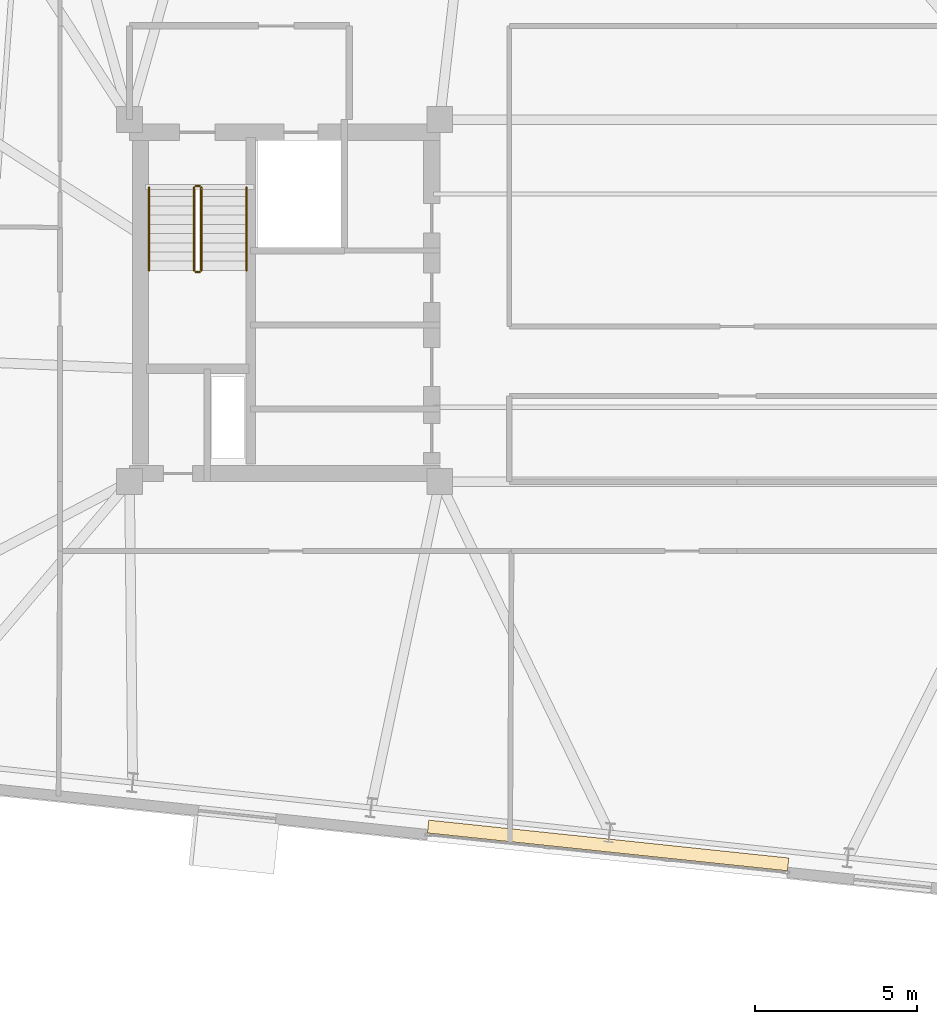
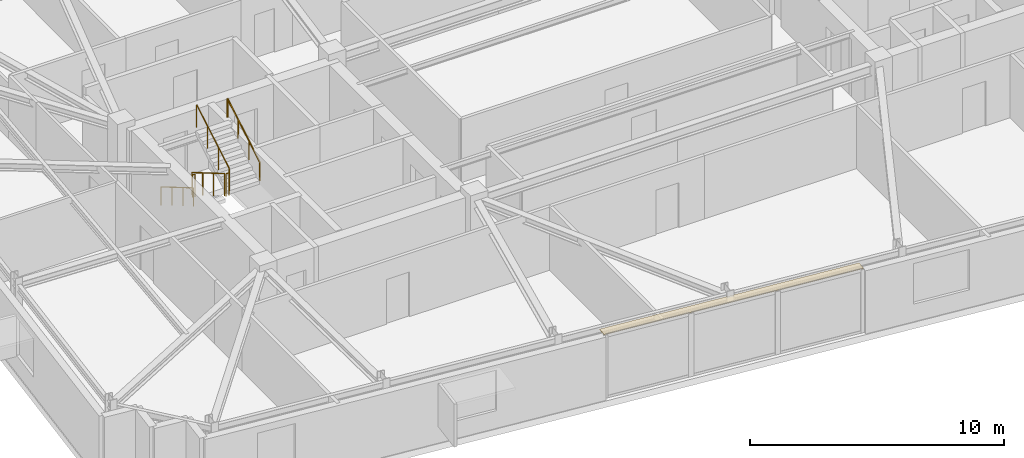
# One storey, part 11 of 12: 6 railings, 1 covering.
"""IFC4 building model written with IfcOpenShell, lengths in metres."""

from ifc_helpers import new_model, si_unit, direction, frame, origin, origin_2d, place, context, subcontext, project, spatial, polyline, circle, outline, extrude, material, layer, layer_set, type_object, element, save


model = new_model("IFC4")

# Units and contexts
model_context = context("Model", 3, precision=1e-05, world=origin(), true_north=direction((0.0, 1.0)))
body_context = subcontext(model_context, "Body", "Model", "MODEL_VIEW")
ifc_project = project(units=[si_unit("LENGTHUNIT", "METRE"), si_unit("AREAUNIT", "SQUARE_METRE"), si_unit("VOLUMEUNIT", "CUBIC_METRE"), si_unit("PLANEANGLEUNIT", "RADIAN"), si_unit("MASSUNIT", "GRAM", prefix="KILO")], contexts=[model_context])

# Site, building, storey
site_placement = place(None, origin())
site = spatial("IfcSite", under=ifc_project, at=site_placement, CompositionType="ELEMENT")
building_placement = place(site_placement, origin())
building = spatial("IfcBuilding", under=site, at=building_placement, Name="Qobustan Lattice House", CompositionType="ELEMENT")
storey_placement = place(building_placement, frame((0.0, 0.0, 203.10009765625)))
storey = spatial("IfcBuildingStorey", under=building, at=storey_placement, Name="L57", CompositionType="ELEMENT", Elevation=203.10009765625)

# Covering
ifc_material_1 = material(Name="Persian walnut timber lining", Category="wood")
ifc_layer = layer(ifc_material_1, 0.0380859375)
ifc_layer_set = layer_set([ifc_layer], Name="Persian walnut timber lining")
covering_type = type_object("IfcCoveringType", Name="COV-WALNUT-IWAN", PredefinedType="CLADDING", material=ifc_layer_set)
covering_placement = place(storey_placement, frame((0.0, 0.0, 3.001953125)))
element("IfcCovering", 1, at=covering_placement, inside=storey, type_object=covering_type, Name="L57 IWAN-4 Persian walnut soffit cladding", PredefinedType="CLADDING", context=body_context, shape_type="SweptSolid", body=[
    extrude(outline(polyline([(1.5556640625, -17.640380859375), (-9.5830078125, -16.469482421875), (-9.541015625, -16.07177734375), (1.597412109375, -17.24267578125), (1.5556640625, -17.640380859375)])), origin(), (0.0, 0.0, 1.0), 0.037841796875),
])

# Railings
ifc_material_2 = material(Name="Brushed stainless steel handrail", Category="steel")
railing_type_1 = type_object("IfcRailingType", Name="RAL-HR-920", PredefinedType="HANDRAIL", material=ifc_material_2)
railing_1_placement = place(storey_placement, frame((-18.199951171875, 3.5, 0.16748046875)))
element("IfcRailing", 2, at=railing_1_placement, inside=storey, type_object=railing_type_1, Name="L57 ST-W1 stair handrail 1", PredefinedType="HANDRAIL", context=body_context, shape_type="SweptSolid", body=[
    extrude(circle(Radius=0.02392578125, at=origin_2d()), frame((0.0, 0.0, 0.8759765625), z_axis=(0.0, -0.862149314443, 0.506654280161), x_axis=(1.0, 0.0, 0.0)), (0.0, 0.0, 1.0), 2.97509765625),
    extrude(circle(Radius=0.02099609375, at=origin_2d()), origin(), (0.0, 0.0, 1.0), 0.851806640625),
    extrude(circle(Radius=0.02099609375, at=origin_2d()), frame((0.0, -0.85498046875, 0.50244140625)), (0.0, 0.0, 1.0), 0.851806640625),
    extrude(circle(Radius=0.02099609375, at=origin_2d()), frame((0.0, -1.7099609375, 1.0048828125)), (0.0, 0.0, 1.0), 0.851806640625),
    extrude(circle(Radius=0.02099609375, at=origin_2d()), frame((0.0, -2.56494140625, 1.50732421875)), (0.0, 0.0, 1.0), 0.851806640625),
])
railing_2_placement = place(storey_placement, frame((-15.179931640625, 0.93505859375, 1.84228515625)))
element("IfcRailing", 3, at=railing_2_placement, inside=storey, type_object=railing_type_1, Name="L57 ST-W1 stair handrail 2", PredefinedType="HANDRAIL", context=body_context, shape_type="SweptSolid", body=[
    extrude(circle(Radius=0.02392578125, at=origin_2d()), frame((0.0, 0.0, 0.8759765625), z_axis=(0.0, 0.862113467892, 0.50671527358), x_axis=(-1.0, 0.0, 0.0)), (0.0, 0.0, 1.0), 2.97509765625),
    extrude(circle(Radius=0.02099609375, at=origin_2d()), origin(), (0.0, 0.0, 1.0), 0.851806640625),
    extrude(circle(Radius=0.02099609375, at=origin_2d()), frame((0.0, 0.85498046875, 0.50244140625)), (0.0, 0.0, 1.0), 0.851806640625),
    extrude(circle(Radius=0.02099609375, at=origin_2d()), frame((0.0, 1.7099609375, 1.005126953125)), (0.0, 0.0, 1.0), 0.851806640625),
    extrude(circle(Radius=0.02099609375, at=origin_2d()), frame((0.0, 2.56494140625, 1.507568359375)), (0.0, 0.0, 1.0), 0.851806640625),
])
ifc_material_3 = material(Name="Painted galvanized steel guardrail", Category="steel")
railing_type_2 = type_object("IfcRailingType", Name="RAL-STG-1150", PredefinedType="GUARDRAIL", material=ifc_material_3)
railing_3_placement = place(storey_placement, frame((-16.800048828125, 3.5, 0.16748046875)))
element("IfcRailing", 4, at=railing_3_placement, inside=storey, type_object=railing_type_2, Name="L57 ST-W1 stair guard 1", PredefinedType="GUARDRAIL", context=body_context, shape_type="SweptSolid", body=[
    extrude(circle(Radius=0.02392578125, at=origin_2d()), frame((0.0, 0.0, 1.076171875), z_axis=(0.0, -0.862149314443, 0.506654280161), x_axis=(1.0, 0.0, 0.0)), (0.0, 0.0, 1.0), 2.97509765625),
    extrude(circle(Radius=0.02099609375, at=origin_2d()), origin(), (0.0, 0.0, 1.0), 1.052001953125),
    extrude(circle(Radius=0.02099609375, at=origin_2d()), frame((0.0, -0.85498046875, 0.50244140625)), (0.0, 0.0, 1.0), 1.052001953125),
    extrude(circle(Radius=0.02099609375, at=origin_2d()), frame((0.0, -1.7099609375, 1.0048828125)), (0.0, 0.0, 1.0), 1.052001953125),
    extrude(circle(Radius=0.02099609375, at=origin_2d()), frame((0.0, -2.56494140625, 1.50732421875)), (0.0, 0.0, 1.0), 1.052001953125),
])
railing_4_placement = place(storey_placement, frame((-16.75, 0.885009765625, 1.6748046875)))
element("IfcRailing", 5, at=railing_4_placement, inside=storey, type_object=railing_type_2, Name="L57 ST-W1 stair guard 2", PredefinedType="GUARDRAIL", context=body_context, shape_type="SweptSolid", body=[
    extrude(circle(Radius=0.02392578125, at=origin_2d()), frame((0.0, 0.0, 1.076171875), z_axis=(1.0, 0.0, 0.0), x_axis=(0.0, 1.0, 0.0)), (0.0, 0.0, 1.0), 0.1201171875),
    extrude(circle(Radius=0.02099609375, at=origin_2d()), origin(), (0.0, 0.0, 1.0), 1.052001953125),
    extrude(circle(Radius=0.02099609375, at=origin_2d()), frame((0.1201171875, 0.0, 0.0)), (0.0, 0.0, 1.0), 1.052001953125),
])
railing_5_placement = place(storey_placement, frame((-16.580078125, 0.93505859375, 1.84228515625)))
element("IfcRailing", 6, at=railing_5_placement, inside=storey, type_object=railing_type_2, Name="L57 ST-W1 stair guard 3", PredefinedType="GUARDRAIL", context=body_context, shape_type="SweptSolid", body=[
    extrude(circle(Radius=0.02392578125, at=origin_2d()), frame((0.0, 0.0, 1.076171875), z_axis=(0.0, 0.862113467892, 0.50671527358), x_axis=(-1.0, 0.0, 0.0)), (0.0, 0.0, 1.0), 2.97509765625),
    extrude(circle(Radius=0.02099609375, at=origin_2d()), origin(), (0.0, 0.0, 1.0), 1.052001953125),
    extrude(circle(Radius=0.02099609375, at=origin_2d()), frame((0.0, 0.85498046875, 0.50244140625)), (0.0, 0.0, 1.0), 1.052001953125),
    extrude(circle(Radius=0.02099609375, at=origin_2d()), frame((0.0, 1.7099609375, 1.005126953125)), (0.0, 0.0, 1.0), 1.052001953125),
    extrude(circle(Radius=0.02099609375, at=origin_2d()), frame((0.0, 2.56494140625, 1.507568359375)), (0.0, 0.0, 1.0), 1.052001953125),
])
railing_6_placement = place(storey_placement, frame((-16.75, 3.550048828125, 0.0)))
element("IfcRailing", 7, at=railing_6_placement, inside=storey, type_object=railing_type_2, Name="L57 ST-W1 stair guard 4", PredefinedType="GUARDRAIL", context=body_context, shape_type="SweptSolid", body=[
    extrude(circle(Radius=0.02392578125, at=origin_2d()), frame((0.0, 0.0, 1.076171875), z_axis=(1.0, 0.0, 0.0), x_axis=(0.0, 1.0, 0.0)), (0.0, 0.0, 1.0), 0.1201171875),
    extrude(circle(Radius=0.02099609375, at=origin_2d()), origin(), (0.0, 0.0, 1.0), 1.052001953125),
    extrude(circle(Radius=0.02099609375, at=origin_2d()), frame((0.1201171875, 0.0, 0.0)), (0.0, 0.0, 1.0), 1.052001953125),
])

save(model, "model.ifc")
